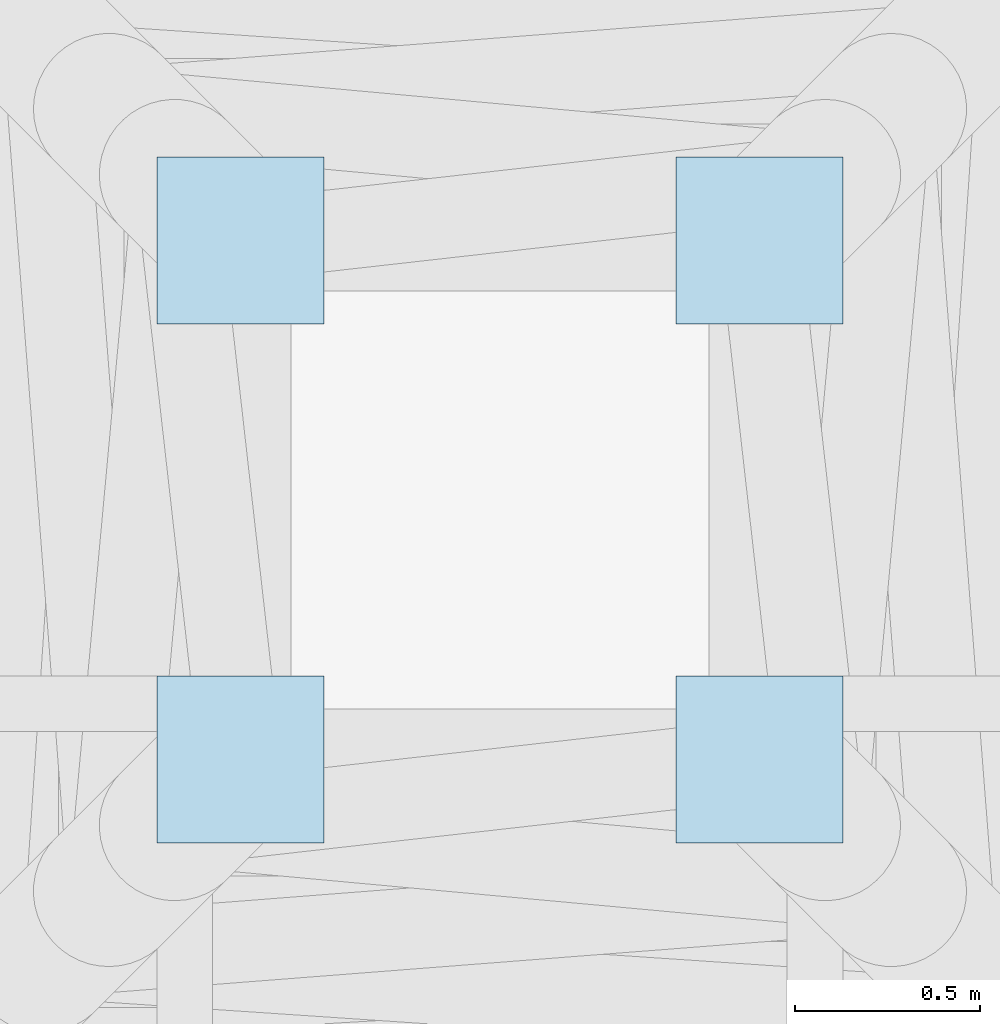
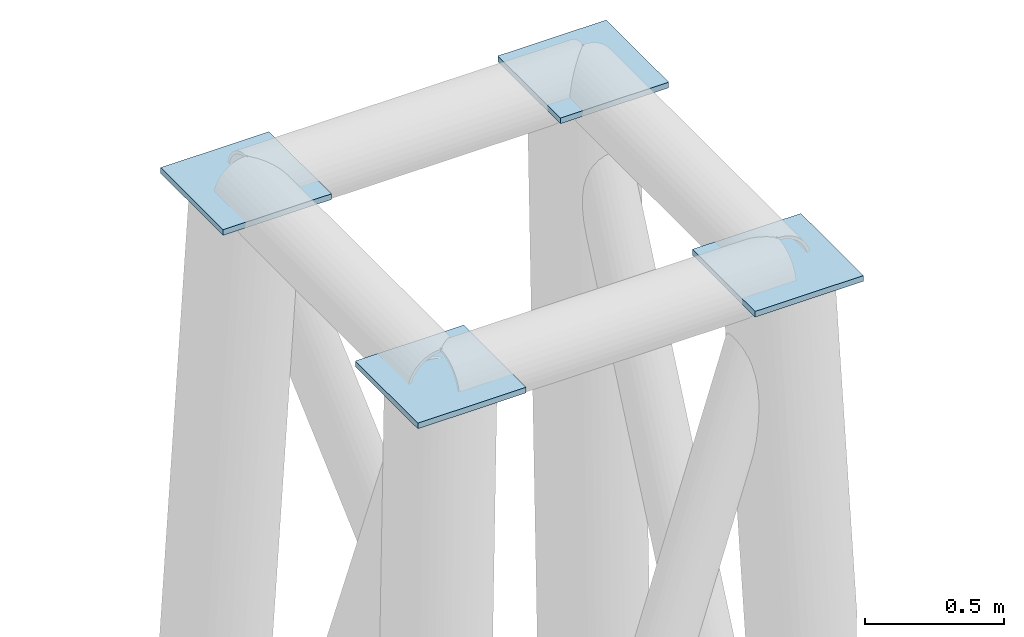
# One storey, part 29 of 36: 4 plates.
"""IFC4 building model written with IfcOpenShell, lengths in metres."""

from ifc_helpers import new_model, si_unit, direction, frame, origin, origin_2d, place, context, subcontext, project, spatial, rectangle, extrude, source, transform, mapped, material, layer, layer_set, type_object, element, save


model = new_model("IFC4")

# Units and contexts
model_context = context("Model", 3, precision=1e-05, world=origin(), true_north=direction((0.0, 1.0)))
body_context = subcontext(model_context, "Body", "Model", "MODEL_VIEW")
ifc_project = project(units=[si_unit("LENGTHUNIT", "METRE"), si_unit("AREAUNIT", "SQUARE_METRE"), si_unit("VOLUMEUNIT", "CUBIC_METRE"), si_unit("PLANEANGLEUNIT", "RADIAN"), si_unit("MASSUNIT", "GRAM", prefix="KILO"), si_unit("THERMODYNAMICTEMPERATUREUNIT", "KELVIN")], contexts=[model_context])

# Site, building, storey
site_placement = place(None, origin())
site = spatial("IfcSite", under=ifc_project, at=site_placement, CompositionType="ELEMENT")
building_placement = place(site_placement, origin())
building = spatial("IfcBuilding", under=site, at=building_placement, Name="Kethvar Cultural Tower", CompositionType="ELEMENT")
storey_placement = place(building_placement, frame((0.0, 0.0, 324.300048828125)))
storey = spatial("IfcBuildingStorey", under=building, at=storey_placement, Name="L86", CompositionType="ELEMENT", Elevation=324.300048828125)

# Plates
ifc_material = material(Name="Steel S355J2", Category="steel")
ifc_layer = layer(ifc_material, 0.02490234375, Name="Steel S355J2", Category="steel")
ifc_layer_set = layer_set([ifc_layer], Name="Steel S355J2 (25 mm)")
plate_type = type_object("IfcPlateType", Name="PL-MAST-TCAP", PredefinedType="SHEET", material=ifc_layer_set)
shared_shape = source(origin(), body_context, "Body", "SweptSolid", [
    extrude(rectangle(XDim=0.449951171875, YDim=0.449951171875, at=origin_2d()), origin(), (0.0, 0.0, 1.0), 0.02490234375),
])
for number, where, z_axis, x_axis, name in (
    (1, (46.10009765625, 27.10009765625, 44.6826171875), (0.0, 0.0, 1.0), (1.0, 0.0, 0.0), "Broadcast Mast Top Cap Plate MTC-01"),
    (2, (47.5, 27.10009765625, 44.6826171875), (0.0, 0.0, 1.0), (1.0, 0.0, 0.0), "Broadcast Mast Top Cap Plate MTC-02"),
    (3, (47.5, 28.5, 44.6826171875), (0.0, 0.0, 1.0), (1.0, 0.0, 0.0), "Broadcast Mast Top Cap Plate MTC-03"),
    (4, (46.10009765625, 28.5, 44.6826171875), (0.0, 0.0, 1.0), (1.0, 0.0, 0.0), "Broadcast Mast Top Cap Plate MTC-04"),
):
    element("IfcPlate", number, at=place(storey_placement, frame(where, z_axis=z_axis, x_axis=x_axis)), inside=storey, type_object=plate_type, Name=name, PredefinedType="SHEET", context=body_context, shape_type="MappedRepresentation", body=[
        mapped(shared_shape, transform((0.0, 0.0, 0.0), scale=1.0)),
    ])

save(model, "model.ifc")
